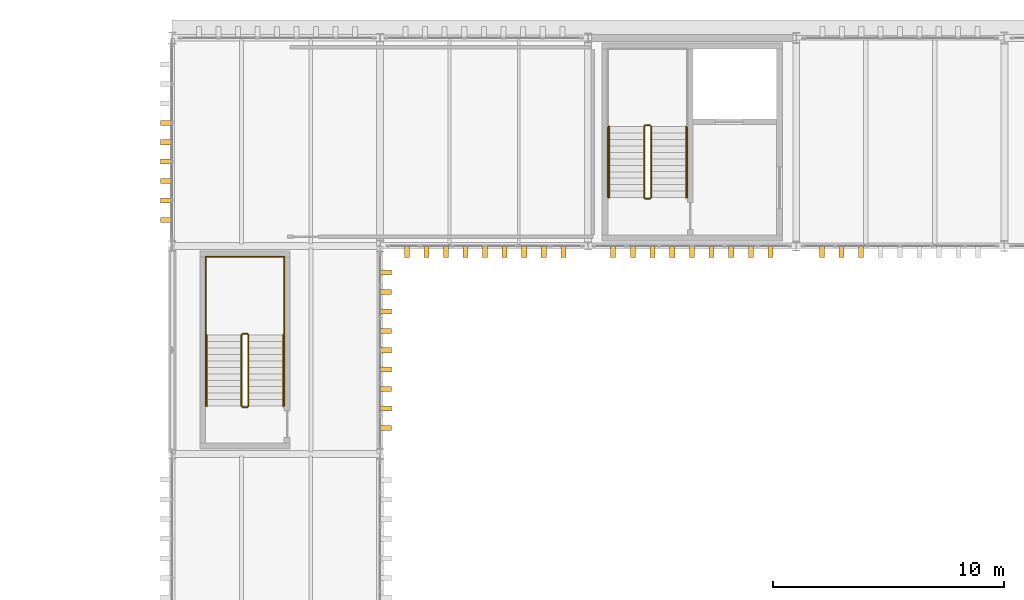
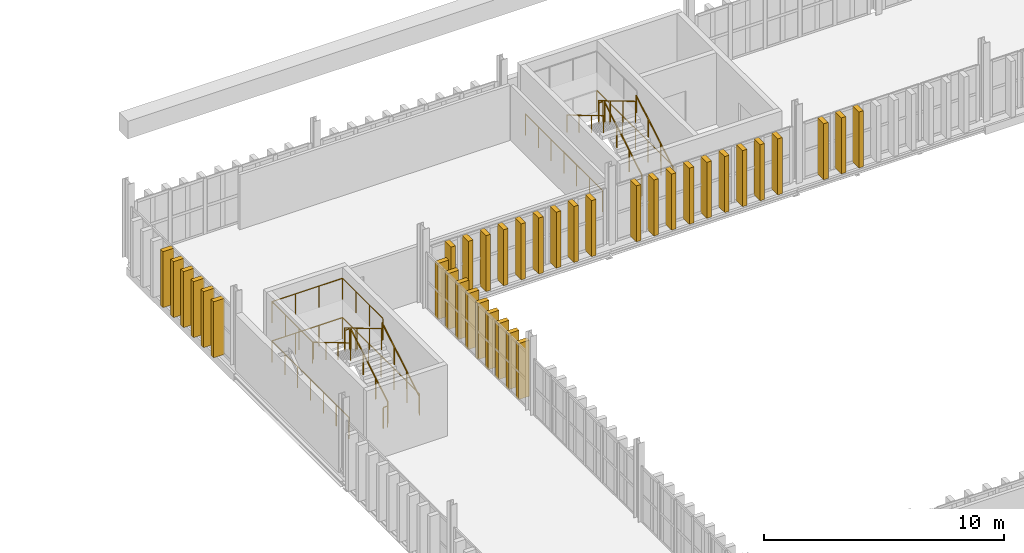
# One storey, part 99 of 102: 36 shading devices, 20 railings.
"""IFC4 building model written with IfcOpenShell, lengths in metres."""

from ifc_helpers import new_model, si_unit, direction, frame, origin, origin_2d, place, context, subcontext, project, spatial, rectangle, circle, extrude, material, type_object, element, save


model = new_model("IFC4")

# Units and contexts
model_context = context("Model", 3, precision=1e-05, world=origin(), true_north=direction((0.0, 1.0)))
body_context = subcontext(model_context, "Body", "Model", "MODEL_VIEW")
ifc_project = project(units=[si_unit("LENGTHUNIT", "METRE"), si_unit("AREAUNIT", "SQUARE_METRE"), si_unit("VOLUMEUNIT", "CUBIC_METRE"), si_unit("PLANEANGLEUNIT", "RADIAN"), si_unit("MASSUNIT", "GRAM", prefix="KILO")], contexts=[model_context])

# Site, building, storey
site_placement = place(None, origin())
site = spatial("IfcSite", under=ifc_project, at=site_placement, CompositionType="ELEMENT")
building_placement = place(site_placement, origin())
building = spatial("IfcBuilding", under=site, at=building_placement, Name="Barlavento Convention Centre", CompositionType="ELEMENT")
storey_placement = place(building_placement, frame((0.0, 0.0, 22.800048828125)))
storey = spatial("IfcBuildingStorey", under=building, at=storey_placement, Name="L04", CompositionType="ELEMENT", Elevation=22.800048828125)

# Railings
ifc_material_1 = material(Name="Stainless steel and laminated glass balustrade", Category="steel")
railing_type_1 = type_object("IfcRailingType", Name="ARC-RAL-BAL-1100", PredefinedType="BALUSTRADE", material=ifc_material_1)
railing_1_placement = place(storey_placement, frame((146.719970703125, 92.090087890625, 0.16650390625)))
element("IfcRailing", 1, at=railing_1_placement, inside=storey, type_object=railing_type_1, Name="L04 ST09 stair guard 1", PredefinedType="BALUSTRADE", context=body_context, shape_type="SweptSolid", body=[
    extrude(circle(Radius=0.02392578125, at=origin_2d()), frame((0.0, 0.0, 1.076171875), z_axis=(0.0, 0.859260807169, 0.511537745687), x_axis=(-1.0, 0.0, 0.0)), (0.0, 0.0, 1.0), 3.584228515625),
    extrude(circle(Radius=0.02099609375, at=origin_2d()), origin(), (0.0, 0.0, 1.0), 1.052001953125),
    extrude(circle(Radius=0.02099609375, at=origin_2d()), frame((0.0, 1.026611328125, 0.611083984375)), (0.0, 0.0, 1.0), 1.052001953125),
    extrude(circle(Radius=0.02099609375, at=origin_2d()), frame((0.0, 2.05322265625, 1.222412109375)), (0.0, 0.0, 1.0), 1.052001953125),
    extrude(circle(Radius=0.02099609375, at=origin_2d()), frame((0.0, 3.079833984375, 1.83349609375)), (0.0, 0.0, 1.0), 1.052001953125),
])
railing_2_placement = place(storey_placement, frame((146.669921875, 95.219970703125, 2.0)))
element("IfcRailing", 2, at=railing_2_placement, inside=storey, type_object=railing_type_1, Name="L04 ST09 stair guard 2", PredefinedType="BALUSTRADE", context=body_context, shape_type="SweptSolid", body=[
    extrude(circle(Radius=0.02392578125, at=origin_2d()), frame((0.0, 0.0, 1.076171875), z_axis=(-1.0, 0.0, 0.0), x_axis=(0.0, -1.0, 0.0)), (0.0, 0.0, 1.0), 0.199951171875),
    extrude(circle(Radius=0.02099609375, at=origin_2d()), origin(), (0.0, 0.0, 1.0), 1.052001953125),
    extrude(circle(Radius=0.02099609375, at=origin_2d()), frame((-0.199951171875, 0.0, 0.0)), (0.0, 0.0, 1.0), 1.052001953125),
])
railing_3_placement = place(storey_placement, frame((146.419921875, 95.169921875, 2.16650390625)))
element("IfcRailing", 3, at=railing_3_placement, inside=storey, type_object=railing_type_1, Name="L04 ST09 stair guard 3", PredefinedType="BALUSTRADE", context=body_context, shape_type="SweptSolid", body=[
    extrude(circle(Radius=0.02392578125, at=origin_2d()), frame((0.0, 0.0, 1.076171875), z_axis=(0.0, -0.859260807169, 0.511537745687), x_axis=(1.0, 0.0, 0.0)), (0.0, 0.0, 1.0), 3.584228515625),
    extrude(circle(Radius=0.02099609375, at=origin_2d()), origin(), (0.0, 0.0, 1.0), 1.052001953125),
    extrude(circle(Radius=0.02099609375, at=origin_2d()), frame((0.0, -1.026611328125, 0.611083984375)), (0.0, 0.0, 1.0), 1.052001953125),
    extrude(circle(Radius=0.02099609375, at=origin_2d()), frame((0.0, -2.05322265625, 1.222412109375)), (0.0, 0.0, 1.0), 1.052001953125),
    extrude(circle(Radius=0.02099609375, at=origin_2d()), frame((0.0, -3.079833984375, 1.83349609375)), (0.0, 0.0, 1.0), 1.052001953125),
])
railing_4_placement = place(storey_placement, frame((146.669921875, 92.0400390625, 0.0)))
element("IfcRailing", 4, at=railing_4_placement, inside=storey, type_object=railing_type_1, Name="L04 ST09 stair guard 4", PredefinedType="BALUSTRADE", context=body_context, shape_type="SweptSolid", body=[
    extrude(circle(Radius=0.02392578125, at=origin_2d()), frame((0.0, 0.0, 1.076171875), z_axis=(-1.0, 0.0, 0.0), x_axis=(0.0, -1.0, 0.0)), (0.0, 0.0, 1.0), 0.199951171875),
    extrude(circle(Radius=0.02099609375, at=origin_2d()), origin(), (0.0, 0.0, 1.0), 1.052001953125),
    extrude(circle(Radius=0.02099609375, at=origin_2d()), frame((-0.199951171875, 0.0, 0.0)), (0.0, 0.0, 1.0), 1.052001953125),
])
railing_5_placement = place(storey_placement, frame((148.2900390625, 92.114990234375, 0.0)))
element("IfcRailing", 5, at=railing_5_placement, inside=storey, type_object=railing_type_1, Name="L04 stairwell perimeter guard GR01", PredefinedType="BALUSTRADE", context=body_context, shape_type="SweptSolid", body=[
    extrude(circle(Radius=0.02392578125, at=origin_2d()), frame((0.0, 0.0, 1.076171875), z_axis=(0.0, 1.0, 0.0), x_axis=(-1.0, 0.0, 0.0)), (0.0, 0.0, 1.0), 6.4150390625),
    extrude(circle(Radius=0.02099609375, at=origin_2d()), origin(), (0.0, 0.0, 1.0), 1.052001953125),
    extrude(circle(Radius=0.02099609375, at=origin_2d()), frame((0.0, 1.069091796875, 0.0)), (0.0, 0.0, 1.0), 1.052001953125),
    extrude(circle(Radius=0.02099609375, at=origin_2d()), frame((0.0, 2.138427734375, 0.0)), (0.0, 0.0, 1.0), 1.052001953125),
    extrude(circle(Radius=0.02099609375, at=origin_2d()), frame((0.0, 3.20751953125, 0.0)), (0.0, 0.0, 1.0), 1.052001953125),
    extrude(circle(Radius=0.02099609375, at=origin_2d()), frame((0.0, 4.276611328125, 0.0)), (0.0, 0.0, 1.0), 1.052001953125),
    extrude(circle(Radius=0.02099609375, at=origin_2d()), frame((0.0, 5.345947265625, 0.0)), (0.0, 0.0, 1.0), 1.052001953125),
    extrude(circle(Radius=0.02099609375, at=origin_2d()), frame((0.0, 6.4150390625, 0.0)), (0.0, 0.0, 1.0), 1.052001953125),
])
railing_6_placement = place(storey_placement, frame((144.85009765625, 98.530029296875, 0.0)))
element("IfcRailing", 6, at=railing_6_placement, inside=storey, type_object=railing_type_1, Name="L04 stairwell perimeter guard GR01", PredefinedType="BALUSTRADE", context=body_context, shape_type="SweptSolid", body=[
    extrude(circle(Radius=0.02392578125, at=origin_2d()), frame((0.0, 0.0, 1.076171875), z_axis=(0.0, -1.0, 0.0), x_axis=(1.0, 0.0, 0.0)), (0.0, 0.0, 1.0), 6.4150390625),
    extrude(circle(Radius=0.02099609375, at=origin_2d()), origin(), (0.0, 0.0, 1.0), 1.052001953125),
    extrude(circle(Radius=0.02099609375, at=origin_2d()), frame((0.0, -1.069091796875, 0.0)), (0.0, 0.0, 1.0), 1.052001953125),
    extrude(circle(Radius=0.02099609375, at=origin_2d()), frame((0.0, -2.138427734375, 0.0)), (0.0, 0.0, 1.0), 1.052001953125),
    extrude(circle(Radius=0.02099609375, at=origin_2d()), frame((0.0, -3.20751953125, 0.0)), (0.0, 0.0, 1.0), 1.052001953125),
    extrude(circle(Radius=0.02099609375, at=origin_2d()), frame((0.0, -4.276611328125, 0.0)), (0.0, 0.0, 1.0), 1.052001953125),
    extrude(circle(Radius=0.02099609375, at=origin_2d()), frame((0.0, -5.345947265625, 0.0)), (0.0, 0.0, 1.0), 1.052001953125),
    extrude(circle(Radius=0.02099609375, at=origin_2d()), frame((0.0, -6.4150390625, 0.0)), (0.0, 0.0, 1.0), 1.052001953125),
])
railing_7_placement = place(storey_placement, frame((129.300048828125, 83.070068359375, 0.16650390625)))
element("IfcRailing", 7, at=railing_7_placement, inside=storey, type_object=railing_type_1, Name="L04 ST12 stair guard 1", PredefinedType="BALUSTRADE", context=body_context, shape_type="SweptSolid", body=[
    extrude(circle(Radius=0.02392578125, at=origin_2d()), frame((0.0, 0.0, 1.076171875), z_axis=(0.0, 0.859260807169, 0.511537745687), x_axis=(-1.0, 0.0, 0.0)), (0.0, 0.0, 1.0), 3.584228515625),
    extrude(circle(Radius=0.02099609375, at=origin_2d()), origin(), (0.0, 0.0, 1.0), 1.052001953125),
    extrude(circle(Radius=0.02099609375, at=origin_2d()), frame((0.0, 1.026611328125, 0.611083984375)), (0.0, 0.0, 1.0), 1.052001953125),
    extrude(circle(Radius=0.02099609375, at=origin_2d()), frame((0.0, 2.05322265625, 1.222412109375)), (0.0, 0.0, 1.0), 1.052001953125),
    extrude(circle(Radius=0.02099609375, at=origin_2d()), frame((0.0, 3.079833984375, 1.83349609375)), (0.0, 0.0, 1.0), 1.052001953125),
])
railing_8_placement = place(storey_placement, frame((129.25, 86.199951171875, 2.0)))
element("IfcRailing", 8, at=railing_8_placement, inside=storey, type_object=railing_type_1, Name="L04 ST12 stair guard 2", PredefinedType="BALUSTRADE", context=body_context, shape_type="SweptSolid", body=[
    extrude(circle(Radius=0.02392578125, at=origin_2d()), frame((0.0, 0.0, 1.076171875), z_axis=(-1.0, 0.0, 0.0), x_axis=(0.0, -1.0, 0.0)), (0.0, 0.0, 1.0), 0.199951171875),
    extrude(circle(Radius=0.02099609375, at=origin_2d()), origin(), (0.0, 0.0, 1.0), 1.052001953125),
    extrude(circle(Radius=0.02099609375, at=origin_2d()), frame((-0.199951171875, 0.0, 0.0)), (0.0, 0.0, 1.0), 1.052001953125),
])
railing_9_placement = place(storey_placement, frame((129.0, 86.14990234375, 2.16650390625)))
element("IfcRailing", 9, at=railing_9_placement, inside=storey, type_object=railing_type_1, Name="L04 ST12 stair guard 3", PredefinedType="BALUSTRADE", context=body_context, shape_type="SweptSolid", body=[
    extrude(circle(Radius=0.02392578125, at=origin_2d()), frame((0.0, 0.0, 1.076171875), z_axis=(0.0, -0.859260807169, 0.511537745687), x_axis=(1.0, 0.0, 0.0)), (0.0, 0.0, 1.0), 3.584228515625),
    extrude(circle(Radius=0.02099609375, at=origin_2d()), origin(), (0.0, 0.0, 1.0), 1.052001953125),
    extrude(circle(Radius=0.02099609375, at=origin_2d()), frame((0.0, -1.026611328125, 0.611083984375)), (0.0, 0.0, 1.0), 1.052001953125),
    extrude(circle(Radius=0.02099609375, at=origin_2d()), frame((0.0, -2.05322265625, 1.222412109375)), (0.0, 0.0, 1.0), 1.052001953125),
    extrude(circle(Radius=0.02099609375, at=origin_2d()), frame((0.0, -3.079833984375, 1.83349609375)), (0.0, 0.0, 1.0), 1.052001953125),
])
railing_10_placement = place(storey_placement, frame((129.25, 83.02001953125, 0.0)))
element("IfcRailing", 10, at=railing_10_placement, inside=storey, type_object=railing_type_1, Name="L04 ST12 stair guard 4", PredefinedType="BALUSTRADE", context=body_context, shape_type="SweptSolid", body=[
    extrude(circle(Radius=0.02392578125, at=origin_2d()), frame((0.0, 0.0, 1.076171875), z_axis=(-1.0, 0.0, 0.0), x_axis=(0.0, -1.0, 0.0)), (0.0, 0.0, 1.0), 0.199951171875),
    extrude(circle(Radius=0.02099609375, at=origin_2d()), origin(), (0.0, 0.0, 1.0), 1.052001953125),
    extrude(circle(Radius=0.02099609375, at=origin_2d()), frame((-0.199951171875, 0.0, 0.0)), (0.0, 0.0, 1.0), 1.052001953125),
])
for number, where, name in (
    (11, (130.85009765625, 86.14990234375, 2.0), "L04 landing guard GR01"),
    (12, (127.449951171875, 86.14990234375, 2.0), "L04 landing guard GR01"),
):
    element("IfcRailing", number, at=place(storey_placement, frame(where)), inside=storey, type_object=railing_type_1, Name=name, PredefinedType="BALUSTRADE", context=body_context, shape_type="SweptSolid", body=[
        extrude(circle(Radius=0.02392578125, at=origin_2d()), frame((0.0, 0.0, 1.076171875), z_axis=(0.0, 1.0, 0.0), x_axis=(-1.0, 0.0, 0.0)), (0.0, 0.0, 1.0), 3.380126953125),
        extrude(circle(Radius=0.02099609375, at=origin_2d()), origin(), (0.0, 0.0, 1.0), 1.052001953125),
        extrude(circle(Radius=0.02099609375, at=origin_2d()), frame((0.0, 1.126708984375, 0.0)), (0.0, 0.0, 1.0), 1.052001953125),
        extrude(circle(Radius=0.02099609375, at=origin_2d()), frame((0.0, 2.25341796875, 0.0)), (0.0, 0.0, 1.0), 1.052001953125),
        extrude(circle(Radius=0.02099609375, at=origin_2d()), frame((0.0, 3.380126953125, 0.0)), (0.0, 0.0, 1.0), 1.052001953125),
    ])
railing_11_placement = place(storey_placement, frame((130.85009765625, 89.530029296875, 2.0)))
element("IfcRailing", 13, at=railing_11_placement, inside=storey, type_object=railing_type_1, Name="L04 landing guard GR01", PredefinedType="BALUSTRADE", context=body_context, shape_type="SweptSolid", body=[
    extrude(circle(Radius=0.02392578125, at=origin_2d()), frame((0.0, 0.0, 1.076171875), z_axis=(-1.0, 0.0, 0.0), x_axis=(0.0, -1.0, 0.0)), (0.0, 0.0, 1.0), 3.400146484375),
    extrude(circle(Radius=0.02099609375, at=origin_2d()), origin(), (0.0, 0.0, 1.0), 1.052001953125),
    extrude(circle(Radius=0.02099609375, at=origin_2d()), frame((-1.13330078125, 0.0, 0.0)), (0.0, 0.0, 1.0), 1.052001953125),
    extrude(circle(Radius=0.02099609375, at=origin_2d()), frame((-2.266845703125, 0.0, 0.0)), (0.0, 0.0, 1.0), 1.052001953125),
    extrude(circle(Radius=0.02099609375, at=origin_2d()), frame((-3.400146484375, 0.0, 0.0)), (0.0, 0.0, 1.0), 1.052001953125),
])
railing_12_placement = place(storey_placement, frame((130.85009765625, 83.094970703125, 0.0)))
element("IfcRailing", 14, at=railing_12_placement, inside=storey, type_object=railing_type_1, Name="L04 stairwell perimeter guard GR01", PredefinedType="BALUSTRADE", context=body_context, shape_type="SweptSolid", body=[
    extrude(circle(Radius=0.02392578125, at=origin_2d()), frame((0.0, 0.0, 1.076171875), z_axis=(0.0, 1.0, 0.0), x_axis=(-1.0, 0.0, 0.0)), (0.0, 0.0, 1.0), 6.43505859375),
    extrude(circle(Radius=0.02099609375, at=origin_2d()), origin(), (0.0, 0.0, 1.0), 1.052001953125),
    extrude(circle(Radius=0.02099609375, at=origin_2d()), frame((0.0, 1.072509765625, 0.0)), (0.0, 0.0, 1.0), 1.052001953125),
    extrude(circle(Radius=0.02099609375, at=origin_2d()), frame((0.0, 2.14501953125, 0.0)), (0.0, 0.0, 1.0), 1.052001953125),
    extrude(circle(Radius=0.02099609375, at=origin_2d()), frame((0.0, 3.217529296875, 0.0)), (0.0, 0.0, 1.0), 1.052001953125),
    extrude(circle(Radius=0.02099609375, at=origin_2d()), frame((0.0, 4.2900390625, 0.0)), (0.0, 0.0, 1.0), 1.052001953125),
    extrude(circle(Radius=0.02099609375, at=origin_2d()), frame((0.0, 5.362548828125, 0.0)), (0.0, 0.0, 1.0), 1.052001953125),
    extrude(circle(Radius=0.02099609375, at=origin_2d()), frame((0.0, 6.43505859375, 0.0)), (0.0, 0.0, 1.0), 1.052001953125),
])
railing_13_placement = place(storey_placement, frame((130.85009765625, 89.530029296875, 0.0)))
element("IfcRailing", 15, at=railing_13_placement, inside=storey, type_object=railing_type_1, Name="L04 stairwell perimeter guard GR01", PredefinedType="BALUSTRADE", context=body_context, shape_type="SweptSolid", body=[
    extrude(circle(Radius=0.02392578125, at=origin_2d()), frame((0.0, 0.0, 1.076171875), z_axis=(-1.0, 0.0, 0.0), x_axis=(0.0, -1.0, 0.0)), (0.0, 0.0, 1.0), 3.400146484375),
    extrude(circle(Radius=0.02099609375, at=origin_2d()), origin(), (0.0, 0.0, 1.0), 1.052001953125),
    extrude(circle(Radius=0.02099609375, at=origin_2d()), frame((-1.13330078125, 0.0, 0.0)), (0.0, 0.0, 1.0), 1.052001953125),
    extrude(circle(Radius=0.02099609375, at=origin_2d()), frame((-2.266845703125, 0.0, 0.0)), (0.0, 0.0, 1.0), 1.052001953125),
    extrude(circle(Radius=0.02099609375, at=origin_2d()), frame((-3.400146484375, 0.0, 0.0)), (0.0, 0.0, 1.0), 1.052001953125),
])
railing_14_placement = place(storey_placement, frame((127.449951171875, 89.530029296875, 0.0)))
element("IfcRailing", 16, at=railing_14_placement, inside=storey, type_object=railing_type_1, Name="L04 stairwell perimeter guard GR01", PredefinedType="BALUSTRADE", context=body_context, shape_type="SweptSolid", body=[
    extrude(circle(Radius=0.02392578125, at=origin_2d()), frame((0.0, 0.0, 1.076171875), z_axis=(0.0, -1.0, 0.0), x_axis=(1.0, 0.0, 0.0)), (0.0, 0.0, 1.0), 6.43505859375),
    extrude(circle(Radius=0.02099609375, at=origin_2d()), origin(), (0.0, 0.0, 1.0), 1.052001953125),
    extrude(circle(Radius=0.02099609375, at=origin_2d()), frame((0.0, -1.072509765625, 0.0)), (0.0, 0.0, 1.0), 1.052001953125),
    extrude(circle(Radius=0.02099609375, at=origin_2d()), frame((0.0, -2.14501953125, 0.0)), (0.0, 0.0, 1.0), 1.052001953125),
    extrude(circle(Radius=0.02099609375, at=origin_2d()), frame((0.0, -3.217529296875, 0.0)), (0.0, 0.0, 1.0), 1.052001953125),
    extrude(circle(Radius=0.02099609375, at=origin_2d()), frame((0.0, -4.2900390625, 0.0)), (0.0, 0.0, 1.0), 1.052001953125),
    extrude(circle(Radius=0.02099609375, at=origin_2d()), frame((0.0, -5.362548828125, 0.0)), (0.0, 0.0, 1.0), 1.052001953125),
    extrude(circle(Radius=0.02099609375, at=origin_2d()), frame((0.0, -6.43505859375, 0.0)), (0.0, 0.0, 1.0), 1.052001953125),
])
ifc_material_2 = material(Name="Brushed stainless steel tubular handrail", Category="steel")
railing_type_2 = type_object("IfcRailingType", Name="ARC-RAL-HR-900", PredefinedType="HANDRAIL", material=ifc_material_2)
railing_15_placement = place(storey_placement, frame((148.239990234375, 92.090087890625, 0.16650390625)))
element("IfcRailing", 17, at=railing_15_placement, inside=storey, type_object=railing_type_2, Name="L04 ST09 stair handrail 1", PredefinedType="HANDRAIL", context=body_context, shape_type="SweptSolid", body=[
    extrude(circle(Radius=0.02392578125, at=origin_2d()), frame((0.0, 0.0, 0.8759765625), z_axis=(0.0, 0.859260807169, 0.511537745687), x_axis=(-1.0, 0.0, 0.0)), (0.0, 0.0, 1.0), 3.584228515625),
    extrude(circle(Radius=0.02099609375, at=origin_2d()), origin(), (0.0, 0.0, 1.0), 0.851806640625),
    extrude(circle(Radius=0.02099609375, at=origin_2d()), frame((0.0, 1.026611328125, 0.611083984375)), (0.0, 0.0, 1.0), 0.851806640625),
    extrude(circle(Radius=0.02099609375, at=origin_2d()), frame((0.0, 2.05322265625, 1.222412109375)), (0.0, 0.0, 1.0), 0.851806640625),
    extrude(circle(Radius=0.02099609375, at=origin_2d()), frame((0.0, 3.079833984375, 1.83349609375)), (0.0, 0.0, 1.0), 0.851806640625),
])
railing_16_placement = place(storey_placement, frame((144.89990234375, 95.169921875, 2.16650390625)))
element("IfcRailing", 18, at=railing_16_placement, inside=storey, type_object=railing_type_2, Name="L04 ST09 stair handrail 2", PredefinedType="HANDRAIL", context=body_context, shape_type="SweptSolid", body=[
    extrude(circle(Radius=0.02392578125, at=origin_2d()), frame((0.0, 0.0, 0.8759765625), z_axis=(0.0, -0.859260807169, 0.511537745687), x_axis=(1.0, 0.0, 0.0)), (0.0, 0.0, 1.0), 3.584228515625),
    extrude(circle(Radius=0.02099609375, at=origin_2d()), origin(), (0.0, 0.0, 1.0), 0.851806640625),
    extrude(circle(Radius=0.02099609375, at=origin_2d()), frame((0.0, -1.026611328125, 0.611083984375)), (0.0, 0.0, 1.0), 0.851806640625),
    extrude(circle(Radius=0.02099609375, at=origin_2d()), frame((0.0, -2.05322265625, 1.222412109375)), (0.0, 0.0, 1.0), 0.851806640625),
    extrude(circle(Radius=0.02099609375, at=origin_2d()), frame((0.0, -3.079833984375, 1.83349609375)), (0.0, 0.0, 1.0), 0.851806640625),
])
railing_17_placement = place(storey_placement, frame((130.800048828125, 83.070068359375, 0.16650390625)))
element("IfcRailing", 19, at=railing_17_placement, inside=storey, type_object=railing_type_2, Name="L04 ST12 stair handrail 1", PredefinedType="HANDRAIL", context=body_context, shape_type="SweptSolid", body=[
    extrude(circle(Radius=0.02392578125, at=origin_2d()), frame((0.0, 0.0, 0.8759765625), z_axis=(0.0, 0.859260807169, 0.511537745687), x_axis=(-1.0, 0.0, 0.0)), (0.0, 0.0, 1.0), 3.584228515625),
    extrude(circle(Radius=0.02099609375, at=origin_2d()), origin(), (0.0, 0.0, 1.0), 0.851806640625),
    extrude(circle(Radius=0.02099609375, at=origin_2d()), frame((0.0, 1.026611328125, 0.611083984375)), (0.0, 0.0, 1.0), 0.851806640625),
    extrude(circle(Radius=0.02099609375, at=origin_2d()), frame((0.0, 2.05322265625, 1.222412109375)), (0.0, 0.0, 1.0), 0.851806640625),
    extrude(circle(Radius=0.02099609375, at=origin_2d()), frame((0.0, 3.079833984375, 1.83349609375)), (0.0, 0.0, 1.0), 0.851806640625),
])
railing_18_placement = place(storey_placement, frame((127.5, 86.14990234375, 2.16650390625)))
element("IfcRailing", 20, at=railing_18_placement, inside=storey, type_object=railing_type_2, Name="L04 ST12 stair handrail 2", PredefinedType="HANDRAIL", context=body_context, shape_type="SweptSolid", body=[
    extrude(circle(Radius=0.02392578125, at=origin_2d()), frame((0.0, 0.0, 0.8759765625), z_axis=(0.0, -0.859260807169, 0.511537745687), x_axis=(1.0, 0.0, 0.0)), (0.0, 0.0, 1.0), 3.584228515625),
    extrude(circle(Radius=0.02099609375, at=origin_2d()), origin(), (0.0, 0.0, 1.0), 0.851806640625),
    extrude(circle(Radius=0.02099609375, at=origin_2d()), frame((0.0, -1.026611328125, 0.611083984375)), (0.0, 0.0, 1.0), 0.851806640625),
    extrude(circle(Radius=0.02099609375, at=origin_2d()), frame((0.0, -2.05322265625, 1.222412109375)), (0.0, 0.0, 1.0), 0.851806640625),
    extrude(circle(Radius=0.02099609375, at=origin_2d()), frame((0.0, -3.079833984375, 1.83349609375)), (0.0, 0.0, 1.0), 0.851806640625),
])

# Shading devices
ifc_material_3 = material(Name="PVDF white extruded aluminium", Category="aluminium")
shading_device_type = type_object("IfcShadingDeviceType", Name="ARC-SHD-FIN-480", PredefinedType="USERDEFINED", material=ifc_material_3)
for number, where, z_axis, x_axis, name in (
    (21, (136.156005859375, 89.760009765625, 0.0), (0.0, 0.0, 1.0), (1.0, 0.0, 0.0), "White vertical solar shading fin VF01"),
    (22, (137.001953125, 89.760009765625, 0.0), (0.0, 0.0, 1.0), (1.0, 0.0, 0.0), "White vertical solar shading fin VF01"),
    (23, (137.847900390625, 89.760009765625, 0.0), (0.0, 0.0, 1.0), (1.0, 0.0, 0.0), "White vertical solar shading fin VF01"),
    (24, (138.694091796875, 89.760009765625, 0.0), (0.0, 0.0, 1.0), (1.0, 0.0, 0.0), "White vertical solar shading fin VF01"),
    (25, (139.5400390625, 89.760009765625, 0.0), (0.0, 0.0, 1.0), (1.0, 0.0, 0.0), "White vertical solar shading fin VF01"),
    (26, (140.385986328125, 89.760009765625, 0.0), (0.0, 0.0, 1.0), (1.0, 0.0, 0.0), "White vertical solar shading fin VF01"),
    (27, (141.23193359375, 89.760009765625, 0.0), (0.0, 0.0, 1.0), (1.0, 0.0, 0.0), "White vertical solar shading fin VF01"),
    (28, (142.077880859375, 89.760009765625, 0.0), (0.0, 0.0, 1.0), (1.0, 0.0, 0.0), "White vertical solar shading fin VF01"),
    (29, (142.924072265625, 89.760009765625, 0.0), (0.0, 0.0, 1.0), (1.0, 0.0, 0.0), "White vertical solar shading fin VF01"),
    (30, (145.0810546875, 89.760009765625, 0.0), (0.0, 0.0, 1.0), (1.0, 0.0, 0.0), "White vertical solar shading fin VF01"),
    (31, (145.931884765625, 89.760009765625, 0.0), (0.0, 0.0, 1.0), (1.0, 0.0, 0.0), "White vertical solar shading fin VF01"),
    (32, (146.782958984375, 89.760009765625, 0.0), (0.0, 0.0, 1.0), (1.0, 0.0, 0.0), "White vertical solar shading fin VF01"),
    (33, (147.634033203125, 89.760009765625, 0.0), (0.0, 0.0, 1.0), (1.0, 0.0, 0.0), "White vertical solar shading fin VF01"),
    (34, (148.485107421875, 89.760009765625, 0.0), (0.0, 0.0, 1.0), (1.0, 0.0, 0.0), "White vertical solar shading fin VF01"),
    (35, (149.3359375, 89.760009765625, 0.0), (0.0, 0.0, 1.0), (1.0, 0.0, 0.0), "White vertical solar shading fin VF01"),
    (36, (150.18701171875, 89.760009765625, 0.0), (0.0, 0.0, 1.0), (1.0, 0.0, 0.0), "White vertical solar shading fin VF01"),
    (37, (151.0380859375, 89.760009765625, 0.0), (0.0, 0.0, 1.0), (1.0, 0.0, 0.0), "White vertical solar shading fin VF01"),
    (38, (151.888916015625, 89.760009765625, 0.0), (0.0, 0.0, 1.0), (1.0, 0.0, 0.0), "White vertical solar shading fin VF01"),
    (39, (154.10546875, 89.760009765625, 0.0), (0.0, 0.0, 1.0), (1.0, 0.0, 0.0), "White vertical solar shading fin VF01"),
    (40, (154.950927734375, 89.760009765625, 0.0), (0.0, 0.0, 1.0), (1.0, 0.0, 0.0), "White vertical solar shading fin VF01"),
    (41, (155.79638671875, 89.760009765625, 0.0), (0.0, 0.0, 1.0), (1.0, 0.0, 0.0), "White vertical solar shading fin VF01"),
    (42, (135.239990234375, 82.12548828125, 0.0), (0.0, 0.0, 1.0), (0.0, 1.0, 0.0), "White vertical solar shading fin VF01"),
    (43, (135.239990234375, 82.966064453125, 0.0), (0.0, 0.0, 1.0), (0.0, 1.0, 0.0), "White vertical solar shading fin VF01"),
    (44, (135.239990234375, 83.806396484375, 0.0), (0.0, 0.0, 1.0), (0.0, 1.0, 0.0), "White vertical solar shading fin VF01"),
    (45, (135.239990234375, 84.64697265625, 0.0), (0.0, 0.0, 1.0), (0.0, 1.0, 0.0), "White vertical solar shading fin VF01"),
    (46, (135.239990234375, 85.487548828125, 0.0), (0.0, 0.0, 1.0), (0.0, 1.0, 0.0), "White vertical solar shading fin VF01"),
    (47, (135.239990234375, 86.327880859375, 0.0), (0.0, 0.0, 1.0), (0.0, 1.0, 0.0), "White vertical solar shading fin VF01"),
    (48, (135.239990234375, 87.16845703125, 0.0), (0.0, 0.0, 1.0), (0.0, 1.0, 0.0), "White vertical solar shading fin VF01"),
    (49, (135.239990234375, 88.009033203125, 0.0), (0.0, 0.0, 1.0), (0.0, 1.0, 0.0), "White vertical solar shading fin VF01"),
    (50, (135.239990234375, 88.849609375, 0.0), (0.0, 0.0, 1.0), (0.0, 1.0, 0.0), "White vertical solar shading fin VF01"),
    (51, (125.760009765625, 91.12548828125, 0.0), (0.0, 0.0, 1.0), (0.0, 1.0, 0.0), "White vertical solar shading fin VF01"),
    (52, (125.760009765625, 91.966064453125, 0.0), (0.0, 0.0, 1.0), (0.0, 1.0, 0.0), "White vertical solar shading fin VF01"),
    (53, (125.760009765625, 92.806396484375, 0.0), (0.0, 0.0, 1.0), (0.0, 1.0, 0.0), "White vertical solar shading fin VF01"),
    (54, (125.760009765625, 93.64697265625, 0.0), (0.0, 0.0, 1.0), (0.0, 1.0, 0.0), "White vertical solar shading fin VF01"),
    (55, (125.760009765625, 94.487548828125, 0.0), (0.0, 0.0, 1.0), (0.0, 1.0, 0.0), "White vertical solar shading fin VF01"),
    (56, (125.760009765625, 95.327880859375, 0.0), (0.0, 0.0, 1.0), (0.0, 1.0, 0.0), "White vertical solar shading fin VF01"),
):
    element("IfcShadingDevice", number, at=place(storey_placement, frame(where, z_axis=z_axis, x_axis=x_axis)), inside=storey, type_object=shading_device_type, Name=name, ObjectType="FIN", PredefinedType="USERDEFINED", context=body_context, shape_type="SweptSolid", body=[
        extrude(rectangle(XDim=0.219970703125, YDim=0.52001953125, at=origin_2d()), origin(), (0.0, 0.0, 1.0), 2.85009765625),
    ])

save(model, "model.ifc")
